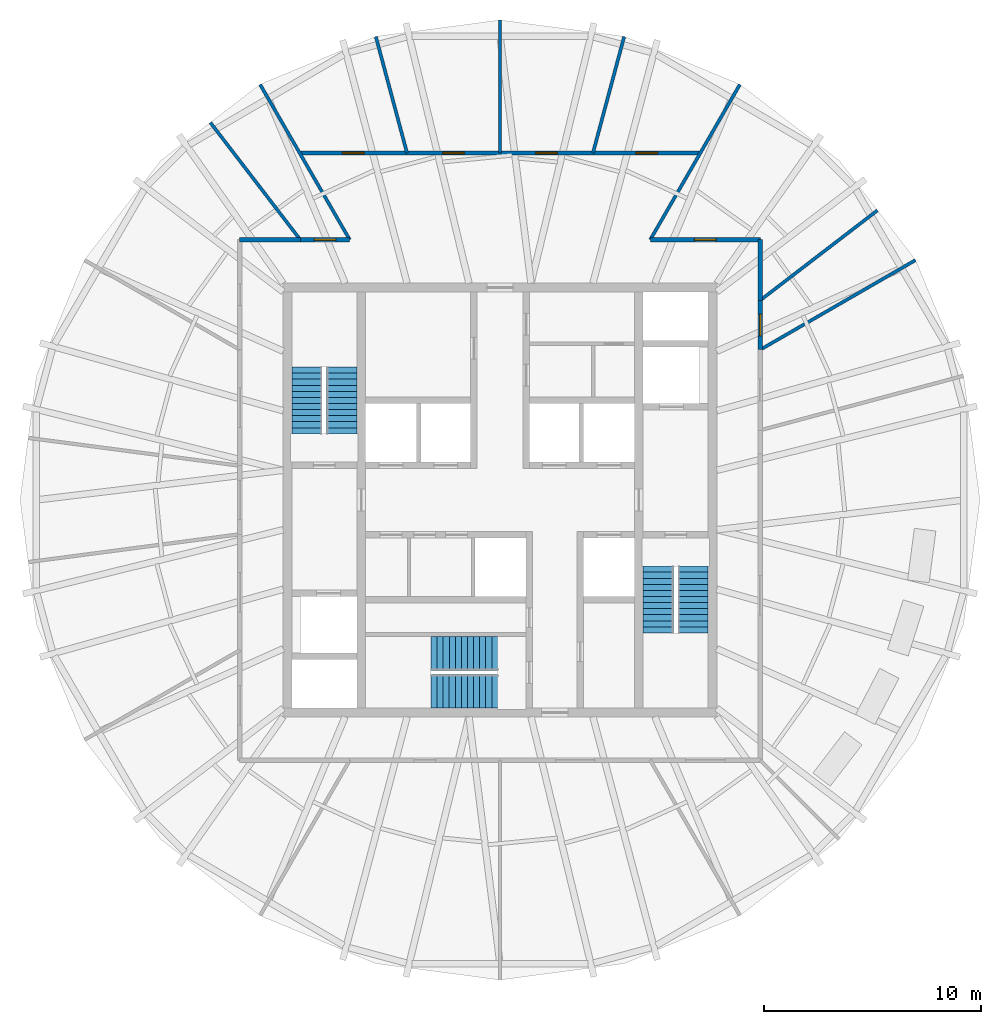
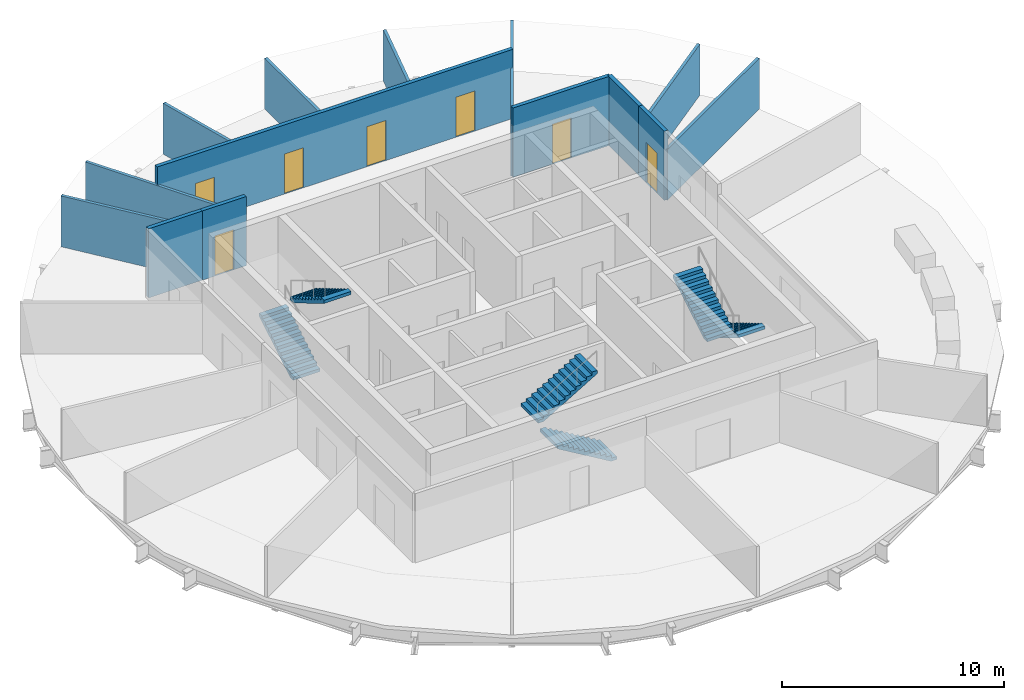
# One storey, part 5 of 7: 14 walls, 7 doors, 6 stair flights, 7 openings, 3 elements without a shape of their own.
"""IFC4 building model written with IfcOpenShell, lengths in metres."""

from ifc_helpers import new_model, si_unit, direction, frame, frame_2d, origin, place, context, subcontext, project, spatial, polyline, rectangle, outline, extrude, material, layer, layer_set, type_object, element, fill, aggregate, save


model = new_model("IFC4")

# Units and contexts
model_context = context("Model", 3, precision=1e-05, world=origin(), true_north=direction((0.0, 1.0)))
body_context = subcontext(model_context, "Body", "Model", "MODEL_VIEW")
ifc_project = project(units=[si_unit("LENGTHUNIT", "METRE"), si_unit("AREAUNIT", "SQUARE_METRE"), si_unit("VOLUMEUNIT", "CUBIC_METRE"), si_unit("PLANEANGLEUNIT", "RADIAN"), si_unit("MASSUNIT", "GRAM", prefix="KILO")], contexts=[model_context])

# Site, building, storey
site_placement = place(None, origin())
site = spatial("IfcSite", under=ifc_project, at=site_placement, CompositionType="ELEMENT")
building_placement = place(site_placement, origin())
building = spatial("IfcBuilding", under=site, at=building_placement, Name="Golbaran Civic Tower", CompositionType="ELEMENT")
storey_placement = place(building_placement, frame((0.0, 0.0, 260.0)))
storey = spatial("IfcBuildingStorey", under=building, at=storey_placement, Name="L63", CompositionType="ELEMENT", Elevation=260.0)

# Wall, opening, door
ifc_material_1 = material(Name="Gypsum board on steel studs, fire-rated", Category="steel")
ifc_layer_1 = layer(ifc_material_1, 0.199951171875, Name="Gypsum board on steel studs, fire-rated")
ifc_layer_set_1 = layer_set([ifc_layer_1], Name="Gypsum board on steel studs, fire-rated")
wall_type_1 = type_object("IfcWallType", Name="CORRIDOR WALL 200", PredefinedType="PARTITIONING", material=ifc_layer_set_1)
wall_1_placement = place(storey_placement, frame((12.0, 6.92822265625, 0.0), z_axis=(0.0, 0.0, 1.0), x_axis=(0.0, 1.0, 0.0)))
wall_1 = element("IfcWall", 1, at=wall_1_placement, inside=storey, type_object=wall_type_1, Name="Corridor wall L63", PredefinedType="PARTITIONING", context=body_context, shape_type="SweptSolid", body=[
    extrude(rectangle(XDim=2.27978515625, YDim=0.199951171875, at=frame_2d((1.139892578125, 0.0))), origin(), (0.0, 0.0, 1.0), 3.800048828125),
])
opening_1_placement = place(wall_1_placement, frame((0.639892578125, 0.0, 0.0)))
opening_1 = element("IfcOpeningElement", 2, at=opening_1_placement, cuts=wall_1, Name="Opening L63.07", PredefinedType="OPENING", context=body_context, shape_type="SweptSolid", body=[
    extrude(rectangle(XDim=1.0, YDim=2.199951171875, at=frame_2d((0.5, 1.10009765625))), frame((0.0, 0.10986328125, 0.0), z_axis=(0.0, -1.0, 0.0), x_axis=(1.0, 0.0, 0.0)), (0.0, 0.0, 1.0), 0.219970703125),
])
ifc_material_2 = material(Name="Timber door set in steel frame", Category="steel")
door_type = type_object("IfcDoorType", Name="OFFICE DOOR 1000x2200", OperationType="SINGLE_SWING_LEFT", PredefinedType="DOOR", material=ifc_material_2)
door_1_placement = place(opening_1_placement, origin())
door_1 = element("IfcDoor", 3, at=door_1_placement, inside=storey, type_object=door_type, Name="Prayer Room door L63", OperationType="SINGLE_SWING_LEFT", OverallHeight=2.199951171875, OverallWidth=1.0, PredefinedType="DOOR", context=body_context, shape_type="SweptSolid", body=[
    extrude(rectangle(XDim=1.0, YDim=2.199951171875, at=frame_2d((0.5, 1.10009765625))), frame((0.0, 0.02490234375, 0.0), z_axis=(0.0, -1.0, 0.0), x_axis=(1.0, 0.0, 0.0)), (0.0, 0.0, 1.0), 0.050048828125),
])
fill(opening_1, door_1)

# Wall
wall_2_placement = place(storey_placement, frame((12.0, 9.2080078125, 0.0), z_axis=(0.0, 0.0, 1.0), x_axis=(0.0, 1.0, 0.0)))
element("IfcWall", 4, at=wall_2_placement, inside=storey, type_object=wall_type_1, Name="Corridor wall L63", PredefinedType="PARTITIONING", context=body_context, shape_type="SweptSolid", body=[
    extrude(rectangle(XDim=2.7919921875, YDim=0.199951171875, at=frame_2d((1.39599609375, 0.0))), origin(), (0.0, 0.0, 1.0), 3.800048828125),
])

# Wall, opening, door
wall_3_placement = place(storey_placement, frame((12.0, 12.0, 0.0), z_axis=(0.0, 0.0, 1.0), x_axis=(-1.0, 0.0, 0.0)))
wall_3 = element("IfcWall", 5, at=wall_3_placement, inside=storey, type_object=wall_type_1, Name="Corridor wall L63", PredefinedType="PARTITIONING", context=body_context, shape_type="SweptSolid", body=[
    extrude(rectangle(XDim=5.07177734375, YDim=0.199951171875, at=frame_2d((2.535888671875, 0.0))), origin(), (0.0, 0.0, 1.0), 3.800048828125),
])
opening_2_placement = place(wall_3_placement, frame((2.035888671875, 0.0, 0.0)))
opening_2 = element("IfcOpeningElement", 6, at=opening_2_placement, cuts=wall_3, Name="Opening L63.08", PredefinedType="OPENING", context=body_context, shape_type="SweptSolid", body=[
    extrude(rectangle(XDim=1.0, YDim=2.199951171875, at=frame_2d((0.5, 1.10009765625))), frame((0.0, 0.10986328125, 0.0), z_axis=(0.0, -1.0, 0.0), x_axis=(1.0, 0.0, 0.0)), (0.0, 0.0, 1.0), 0.219970703125),
])
door_2_placement = place(opening_2_placement, origin())
door_2 = element("IfcDoor", 7, at=door_2_placement, inside=storey, type_object=door_type, Name="Pantry door L63", OperationType="SINGLE_SWING_RIGHT", OverallHeight=2.199951171875, OverallWidth=1.0, PredefinedType="DOOR", context=body_context, shape_type="SweptSolid", body=[
    extrude(rectangle(XDim=1.0, YDim=2.199951171875, at=frame_2d((0.5, 1.10009765625))), frame((0.0, 0.02490234375, 0.0), z_axis=(0.0, -1.0, 0.0), x_axis=(1.0, 0.0, 0.0)), (0.0, 0.0, 1.0), 0.050048828125),
])
fill(opening_2, door_2)

wall_4_placement = place(storey_placement, frame((-6.92822265625, 12.0, 0.0), z_axis=(0.0, 0.0, 1.0), x_axis=(-1.0, 0.0, 0.0)))
wall_4 = element("IfcWall", 8, at=wall_4_placement, inside=storey, type_object=wall_type_1, Name="Corridor wall L63", PredefinedType="PARTITIONING", context=body_context, shape_type="SweptSolid", body=[
    extrude(rectangle(XDim=2.27978515625, YDim=0.199951171875, at=frame_2d((1.139892578125, 0.0))), origin(), (0.0, 0.0, 1.0), 3.800048828125),
])
opening_3_placement = place(wall_4_placement, frame((0.639892578125, 0.0, 0.0)))
opening_3 = element("IfcOpeningElement", 9, at=opening_3_placement, cuts=wall_4, Name="Opening L63.09", PredefinedType="OPENING", context=body_context, shape_type="SweptSolid", body=[
    extrude(rectangle(XDim=1.0, YDim=2.199951171875, at=frame_2d((0.5, 1.10009765625))), frame((0.0, 0.10986328125, 0.0), z_axis=(0.0, -1.0, 0.0), x_axis=(1.0, 0.0, 0.0)), (0.0, 0.0, 1.0), 0.219970703125),
])
door_3_placement = place(opening_3_placement, origin())
door_3 = element("IfcDoor", 10, at=door_3_placement, inside=storey, type_object=door_type, Name="Store door L63", OperationType="SINGLE_SWING_RIGHT", OverallHeight=2.199951171875, OverallWidth=1.0, PredefinedType="DOOR", context=body_context, shape_type="SweptSolid", body=[
    extrude(rectangle(XDim=1.0, YDim=2.199951171875, at=frame_2d((0.5, 1.10009765625))), frame((0.0, 0.02490234375, 0.0), z_axis=(0.0, -1.0, 0.0), x_axis=(1.0, 0.0, 0.0)), (0.0, 0.0, 1.0), 0.050048828125),
])
fill(opening_3, door_3)

# Wall
wall_5_placement = place(storey_placement, frame((-9.2080078125, 12.0, 0.0), z_axis=(0.0, 0.0, 1.0), x_axis=(-1.0, 0.0, 0.0)))
element("IfcWall", 11, at=wall_5_placement, inside=storey, type_object=wall_type_1, Name="Corridor wall L63", PredefinedType="PARTITIONING", context=body_context, shape_type="SweptSolid", body=[
    extrude(rectangle(XDim=2.7919921875, YDim=0.199951171875, at=frame_2d((1.39599609375, 0.0))), origin(), (0.0, 0.0, 1.0), 3.800048828125),
])

# Wall, openings, doors
ifc_material_3 = material(Name="Gypsum board on steel studs, fire-rated, glazed panels", Category="steel")
ifc_layer_2 = layer(ifc_material_3, 0.199951171875, Name="Gypsum board on steel studs, fire-rated, glazed panels")
ifc_layer_set_2 = layer_set([ifc_layer_2], Name="Gypsum board on steel studs, fire-rated, glazed panels")
wall_type_2 = type_object("IfcWallType", Name="GALLERY WALL 200", PredefinedType="PARTITIONING", material=ifc_layer_set_2)
wall_6_placement = place(storey_placement, frame((9.237548828125, 16.0, 0.0), z_axis=(0.0, 0.0, 1.0), x_axis=(-1.0, 0.0, 0.0)))
wall_6 = element("IfcWall", 12, at=wall_6_placement, inside=storey, type_object=wall_type_2, Name="Gallery wall L63", PredefinedType="PARTITIONING", context=body_context, shape_type="SweptSolid", body=[
    extrude(rectangle(XDim=18.47509765625, YDim=0.199951171875, at=frame_2d((9.237548828125, 0.0))), origin(), (0.0, 0.0, 1.0), 3.800048828125),
])
opening_4_placement = place(wall_6_placement, frame((1.97509765625, 0.0, 0.0)))
opening_4 = element("IfcOpeningElement", 13, at=opening_4_placement, cuts=wall_6, Name="Opening L63.01", PredefinedType="OPENING", context=body_context, shape_type="SweptSolid", body=[
    extrude(rectangle(XDim=1.0, YDim=2.199951171875, at=frame_2d((0.5, 1.10009765625))), frame((0.0, 0.10986328125, 0.0), z_axis=(0.0, -1.0, 0.0), x_axis=(1.0, 0.0, 0.0)), (0.0, 0.0, 1.0), 0.219970703125),
])
opening_5_placement = place(wall_6_placement, frame((6.593994140625, 0.0, 0.0)))
opening_5 = element("IfcOpeningElement", 14, at=opening_5_placement, cuts=wall_6, Name="Opening L63.02", PredefinedType="OPENING", context=body_context, shape_type="SweptSolid", body=[
    extrude(rectangle(XDim=1.0, YDim=2.199951171875, at=frame_2d((0.5, 1.10009765625))), frame((0.0, 0.10986328125, 0.0), z_axis=(0.0, -1.0, 0.0), x_axis=(1.0, 0.0, 0.0)), (0.0, 0.0, 1.0), 0.219970703125),
])
opening_6_placement = place(wall_6_placement, frame((10.881103515625, 0.0, 0.0)))
opening_6 = element("IfcOpeningElement", 15, at=opening_6_placement, cuts=wall_6, Name="Opening L63.03", PredefinedType="OPENING", context=body_context, shape_type="SweptSolid", body=[
    extrude(rectangle(XDim=1.0, YDim=2.199951171875, at=frame_2d((0.5, 1.10009765625))), frame((0.0, 0.10986328125, 0.0), z_axis=(0.0, -1.0, 0.0), x_axis=(1.0, 0.0, 0.0)), (0.0, 0.0, 1.0), 0.219970703125),
])
opening_7_placement = place(wall_6_placement, frame((15.5, 0.0, 0.0)))
opening_7 = element("IfcOpeningElement", 16, at=opening_7_placement, cuts=wall_6, Name="Opening L63.04", PredefinedType="OPENING", context=body_context, shape_type="SweptSolid", body=[
    extrude(rectangle(XDim=1.0, YDim=2.199951171875, at=frame_2d((0.5, 1.10009765625))), frame((0.0, 0.10986328125, 0.0), z_axis=(0.0, -1.0, 0.0), x_axis=(1.0, 0.0, 0.0)), (0.0, 0.0, 1.0), 0.219970703125),
])
door_4_placement = place(opening_4_placement, origin())
door_4 = element("IfcDoor", 17, at=door_4_placement, inside=storey, type_object=door_type, Name="Minister's Office door L63", OperationType="SINGLE_SWING_LEFT", OverallHeight=2.199951171875, OverallWidth=1.0, PredefinedType="DOOR", context=body_context, shape_type="SweptSolid", body=[
    extrude(rectangle(XDim=1.0, YDim=2.199951171875, at=frame_2d((0.5, 1.10009765625))), frame((0.0, 0.02490234375, 0.0), z_axis=(0.0, -1.0, 0.0), x_axis=(1.0, 0.0, 0.0)), (0.0, 0.0, 1.0), 0.050048828125),
])
fill(opening_4, door_4)
door_5_placement = place(opening_5_placement, origin())
door_5 = element("IfcDoor", 18, at=door_5_placement, inside=storey, type_object=door_type, Name="Office door L63", OperationType="SINGLE_SWING_LEFT", OverallHeight=2.199951171875, OverallWidth=1.0, PredefinedType="DOOR", context=body_context, shape_type="SweptSolid", body=[
    extrude(rectangle(XDim=1.0, YDim=2.199951171875, at=frame_2d((0.5, 1.10009765625))), frame((0.0, 0.02490234375, 0.0), z_axis=(0.0, -1.0, 0.0), x_axis=(1.0, 0.0, 0.0)), (0.0, 0.0, 1.0), 0.050048828125),
])
fill(opening_5, door_5)
door_6_placement = place(opening_6_placement, origin())
door_6 = element("IfcDoor", 19, at=door_6_placement, inside=storey, type_object=door_type, Name="Private Meeting Room door L63", OperationType="SINGLE_SWING_RIGHT", OverallHeight=2.199951171875, OverallWidth=1.0, PredefinedType="DOOR", context=body_context, shape_type="SweptSolid", body=[
    extrude(rectangle(XDim=1.0, YDim=2.199951171875, at=frame_2d((0.5, 1.10009765625))), frame((0.0, 0.02490234375, 0.0), z_axis=(0.0, -1.0, 0.0), x_axis=(1.0, 0.0, 0.0)), (0.0, 0.0, 1.0), 0.050048828125),
])
fill(opening_6, door_6)
door_7_placement = place(opening_7_placement, origin())
door_7 = element("IfcDoor", 20, at=door_7_placement, inside=storey, type_object=door_type, Name="Private Meeting Room door L63", OperationType="SINGLE_SWING_RIGHT", OverallHeight=2.199951171875, OverallWidth=1.0, PredefinedType="DOOR", context=body_context, shape_type="SweptSolid", body=[
    extrude(rectangle(XDim=1.0, YDim=2.199951171875, at=frame_2d((0.5, 1.10009765625))), frame((0.0, 0.02490234375, 0.0), z_axis=(0.0, -1.0, 0.0), x_axis=(1.0, 0.0, 0.0)), (0.0, 0.0, 1.0), 0.050048828125),
])
fill(opening_7, door_7)

# Walls
ifc_material_4 = material(Name="Gypsum board on steel studs", Category="steel")
ifc_layer_3 = layer(ifc_material_4, 0.14990234375, Name="Gypsum board on steel studs")
ifc_layer_set_3 = layer_set([ifc_layer_3], Name="Gypsum board on steel studs")
wall_type_3 = type_object("IfcWallType", Name="OFFICE PARTITION 150", PredefinedType="PARTITIONING", material=ifc_layer_set_3)
wall_7_placement = place(storey_placement, frame((12.0, 6.92822265625, 0.0), z_axis=(0.0, 0.0, 1.0), x_axis=(0.86603163534, 0.499989206474, 0.0)))
element("IfcWall", 21, at=wall_7_placement, inside=storey, type_object=wall_type_3, Name="Partition 30 L63", PredefinedType="PARTITIONING", context=body_context, shape_type="SweptSolid", body=[
    extrude(rectangle(XDim=8.265869140625, YDim=0.14990234375, at=frame_2d((4.1328125, 0.0))), origin(), (0.0, 0.0, 1.0), 2.7900390625),
])
wall_8_placement = place(storey_placement, frame((12.0, 9.2080078125, 0.0), z_axis=(0.0, 0.0, 1.0), x_axis=(0.793354038351, 0.608760519279, 0.0)))
element("IfcWall", 22, at=wall_8_placement, inside=storey, type_object=wall_type_3, Name="Partition 37.5 L63", PredefinedType="PARTITIONING", context=body_context, shape_type="SweptSolid", body=[
    extrude(rectangle(XDim=6.807373046875, YDim=0.14990234375, at=frame_2d((3.40380859375, 0.0))), origin(), (0.0, 0.0, 1.0), 2.7900390625),
])
for number, where, z_axis, x_axis, name in (
    (23, (6.92822265625, 12.0, 0.0), (0.0, 0.0, 1.0), (0.499989206474, 0.86603163534, 0.0), "Partition 60 L63"),
    (24, (-6.92822265625, 12.0, 0.0), (0.0, 0.0, 1.0), (-0.499989206474, 0.86603163534, 0.0), "Partition 120 L63"),
):
    element("IfcWall", number, at=place(storey_placement, frame(where, z_axis=z_axis, x_axis=x_axis)), inside=storey, type_object=wall_type_3, Name=name, PredefinedType="PARTITIONING", context=body_context, shape_type="SweptSolid", body=[
        extrude(rectangle(XDim=8.265869140625, YDim=0.14990234375, at=frame_2d((4.1328125, 0.0))), origin(), (0.0, 0.0, 1.0), 2.7900390625),
    ])
wall_9_placement = place(storey_placement, frame((-9.2080078125, 12.0, 0.0), z_axis=(0.0, 0.0, 1.0), x_axis=(-0.608760519279, 0.793354038351, 0.0)))
element("IfcWall", 25, at=wall_9_placement, inside=storey, type_object=wall_type_3, Name="Partition 127.5 L63", PredefinedType="PARTITIONING", context=body_context, shape_type="SweptSolid", body=[
    extrude(rectangle(XDim=6.807373046875, YDim=0.14990234375, at=frame_2d((3.40380859375, 0.0))), origin(), (0.0, 0.0, 1.0), 2.7900390625),
])
wall_10_placement = place(storey_placement, frame((4.287109375, 16.0, 0.0), z_axis=(0.0, 0.0, 1.0), x_axis=(0.25882171764, 0.965925110181, 0.0)))
element("IfcWall", 26, at=wall_10_placement, inside=storey, type_object=wall_type_3, Name="Partition 75 L63", PredefinedType="PARTITIONING", context=body_context, shape_type="SweptSolid", body=[
    extrude(rectangle(XDim=5.557861328125, YDim=0.14990234375, at=frame_2d((2.77880859375, 0.0))), origin(), (0.0, 0.0, 1.0), 2.7900390625),
])
wall_11_placement = place(storey_placement, frame((0.0, 16.0, 0.0), z_axis=(0.0, 0.0, 1.0), x_axis=(0.0, 1.0, 0.0)))
element("IfcWall", 27, at=wall_11_placement, inside=storey, type_object=wall_type_3, Name="Partition 90 L63", PredefinedType="PARTITIONING", context=body_context, shape_type="SweptSolid", body=[
    extrude(rectangle(XDim=6.122314453125, YDim=0.14990234375, at=frame_2d((3.06103515625, 0.0))), origin(), (0.0, 0.0, 1.0), 2.7900390625),
])
wall_12_placement = place(storey_placement, frame((-4.287109375, 16.0, 0.0), z_axis=(0.0, 0.0, 1.0), x_axis=(-0.25882171764, 0.965925110181, 0.0)))
element("IfcWall", 28, at=wall_12_placement, inside=storey, type_object=wall_type_3, Name="Partition 105 L63", PredefinedType="PARTITIONING", context=body_context, shape_type="SweptSolid", body=[
    extrude(rectangle(XDim=5.557861328125, YDim=0.14990234375, at=frame_2d((2.77880859375, 0.0))), origin(), (0.0, 0.0, 1.0), 2.7900390625),
])

# Stair, stair flights
ifc_material_5 = material(Name="Concrete C35/45", Category="concrete")
stair_type_1 = type_object("IfcStairType", Name="EXIT STAIR 3000 x 7850, 4000 RISE", PredefinedType="HALF_TURN_STAIR", material=ifc_material_5)
stair_1_placement = place(storey_placement, origin())
stair_1 = element("IfcStair", 29, at=stair_1_placement, inside=storey, type_object=stair_type_1, Name="Stair S1 L63", PredefinedType="HALF_TURN_STAIR")
stair_flight_type_1 = type_object("IfcStairFlightType", Name="STAIR FLIGHT 1400 WIDE", PredefinedType="STRAIGHT", material=ifc_material_5)
stair_flight_1_placement = place(storey_placement, frame((-8.89990234375, 3.050048828125, 0.0), z_axis=(0.0, 0.0, 1.0), x_axis=(0.0, 1.0, 0.0)))
stair_flight_1 = element("IfcStairFlight", 30, at=stair_flight_1_placement, type_object=stair_flight_type_1, Name="ST30078-40 flight 1", NumberOfRisers=12, NumberOfTreads=11, PredefinedType="STRAIGHT", RiserHeight=0.166666667, TreadLength=0.28, context=body_context, shape_type="SweptSolid", body=[
    extrude(outline(polyline([(0.0, 0.0), (0.0, 0.166748046875), (0.280029296875, 0.166748046875), (0.280029296875, 0.333251953125), (0.56005859375, 0.333251953125), (0.56005859375, 0.5), (0.840087890625, 0.5), (0.840087890625, 0.666748046875), (1.1201171875, 0.666748046875), (1.1201171875, 0.833251953125), (1.39990234375, 0.833251953125), (1.39990234375, 1.0), (1.679931640625, 1.0), (1.679931640625, 1.166748046875), (1.9599609375, 1.166748046875), (1.9599609375, 1.333251953125), (2.239990234375, 1.333251953125), (2.239990234375, 1.5), (2.52001953125, 1.5), (2.52001953125, 1.666748046875), (2.800048828125, 1.666748046875), (2.800048828125, 1.833251953125), (3.080078125, 1.833251953125), (3.080078125, 2.0), (3.080078125, 1.658935546875), (0.29296875, 0.0), (0.0, 0.0)])), frame((0.0, 0.699951171875, 0.0), z_axis=(0.0, -1.0, 0.0), x_axis=(1.0, 0.0, 0.0)), (0.0, 0.0, 1.0), 1.39990234375),
])
stair_flight_2_placement = place(storey_placement, frame((-7.300048828125, 6.1298828125, 2.0), z_axis=(0.0, 0.0, 1.0), x_axis=(0.0, -1.0, 0.0)))
stair_flight_2 = element("IfcStairFlight", 31, at=stair_flight_2_placement, type_object=stair_flight_type_1, Name="ST30078-40 flight 2", NumberOfRisers=12, NumberOfTreads=11, PredefinedType="STRAIGHT", RiserHeight=0.166666667, TreadLength=0.28, context=body_context, shape_type="SweptSolid", body=[
    extrude(outline(polyline([(0.0, 0.0), (0.0, 0.166748046875), (0.280029296875, 0.166748046875), (0.280029296875, 0.333251953125), (0.56005859375, 0.333251953125), (0.56005859375, 0.5), (0.840087890625, 0.5), (0.840087890625, 0.666748046875), (1.1201171875, 0.666748046875), (1.1201171875, 0.833251953125), (1.39990234375, 0.833251953125), (1.39990234375, 1.0), (1.679931640625, 1.0), (1.679931640625, 1.166748046875), (1.9599609375, 1.166748046875), (1.9599609375, 1.333251953125), (2.239990234375, 1.333251953125), (2.239990234375, 1.5), (2.52001953125, 1.5), (2.52001953125, 1.666748046875), (2.800048828125, 1.666748046875), (2.800048828125, 1.833251953125), (3.080078125, 1.833251953125), (3.080078125, 2.0), (3.080078125, 1.658935546875), (0.29296875, 0.0), (0.0, 0.0)])), frame((0.0, 0.699951171875, 0.0), z_axis=(0.0, -1.0, 0.0), x_axis=(1.0, 0.0, 0.0)), (0.0, 0.0, 1.0), 1.39990234375),
])
aggregate(stair_1, [stair_flight_1, stair_flight_2])

stair_2_placement = place(storey_placement, origin())
stair_2 = element("IfcStair", 32, at=stair_2_placement, inside=storey, type_object=stair_type_1, Name="Stair S2 L63", PredefinedType="HALF_TURN_STAIR")
stair_flight_3_placement = place(storey_placement, frame((8.89990234375, -3.050048828125, 0.0), z_axis=(0.0, 0.0, 1.0), x_axis=(0.0, -1.0, 0.0)))
stair_flight_3 = element("IfcStairFlight", 33, at=stair_flight_3_placement, type_object=stair_flight_type_1, Name="ST30078-40 flight 1", NumberOfRisers=12, NumberOfTreads=11, PredefinedType="STRAIGHT", RiserHeight=0.166666667, TreadLength=0.28, context=body_context, shape_type="SweptSolid", body=[
    extrude(outline(polyline([(0.0, 0.0), (0.0, 0.166748046875), (0.280029296875, 0.166748046875), (0.280029296875, 0.333251953125), (0.56005859375, 0.333251953125), (0.56005859375, 0.5), (0.840087890625, 0.5), (0.840087890625, 0.666748046875), (1.1201171875, 0.666748046875), (1.1201171875, 0.833251953125), (1.39990234375, 0.833251953125), (1.39990234375, 1.0), (1.679931640625, 1.0), (1.679931640625, 1.166748046875), (1.9599609375, 1.166748046875), (1.9599609375, 1.333251953125), (2.239990234375, 1.333251953125), (2.239990234375, 1.5), (2.52001953125, 1.5), (2.52001953125, 1.666748046875), (2.800048828125, 1.666748046875), (2.800048828125, 1.833251953125), (3.080078125, 1.833251953125), (3.080078125, 2.0), (3.080078125, 1.658935546875), (0.29296875, 0.0), (0.0, 0.0)])), frame((0.0, 0.699951171875, 0.0), z_axis=(0.0, -1.0, 0.0), x_axis=(1.0, 0.0, 0.0)), (0.0, 0.0, 1.0), 1.39990234375),
])
stair_flight_4_placement = place(storey_placement, frame((7.300048828125, -6.1298828125, 2.0), z_axis=(0.0, 0.0, 1.0), x_axis=(0.0, 1.0, 0.0)))
stair_flight_4 = element("IfcStairFlight", 34, at=stair_flight_4_placement, type_object=stair_flight_type_1, Name="ST30078-40 flight 2", NumberOfRisers=12, NumberOfTreads=11, PredefinedType="STRAIGHT", RiserHeight=0.166666667, TreadLength=0.28, context=body_context, shape_type="SweptSolid", body=[
    extrude(outline(polyline([(0.0, 0.0), (0.0, 0.166748046875), (0.280029296875, 0.166748046875), (0.280029296875, 0.333251953125), (0.56005859375, 0.333251953125), (0.56005859375, 0.5), (0.840087890625, 0.5), (0.840087890625, 0.666748046875), (1.1201171875, 0.666748046875), (1.1201171875, 0.833251953125), (1.39990234375, 0.833251953125), (1.39990234375, 1.0), (1.679931640625, 1.0), (1.679931640625, 1.166748046875), (1.9599609375, 1.166748046875), (1.9599609375, 1.333251953125), (2.239990234375, 1.333251953125), (2.239990234375, 1.5), (2.52001953125, 1.5), (2.52001953125, 1.666748046875), (2.800048828125, 1.666748046875), (2.800048828125, 1.833251953125), (3.080078125, 1.833251953125), (3.080078125, 2.0), (3.080078125, 1.658935546875), (0.29296875, 0.0), (0.0, 0.0)])), frame((0.0, 0.699951171875, 0.0), z_axis=(0.0, -1.0, 0.0), x_axis=(1.0, 0.0, 0.0)), (0.0, 0.0, 1.0), 1.39990234375),
])
aggregate(stair_2, [stair_flight_3, stair_flight_4])

stair_type_2 = type_object("IfcStairType", Name="EXIT STAIR 3300 x 7400, 4000 RISE", PredefinedType="HALF_TURN_STAIR", material=ifc_material_5)
stair_3_placement = place(storey_placement, origin())
stair_3 = element("IfcStair", 35, at=stair_3_placement, inside=storey, type_object=stair_type_2, Name="Stair S3 L63", PredefinedType="HALF_TURN_STAIR")
stair_flight_type_2 = type_object("IfcStairFlightType", Name="STAIR FLIGHT 1550 WIDE", PredefinedType="STRAIGHT", material=ifc_material_5)
stair_flight_5_placement = place(storey_placement, frame((-0.10009765625, -8.824951171875, 0.0), z_axis=(0.0, 0.0, 1.0), x_axis=(-1.0, 0.0, 0.0)))
stair_flight_5 = element("IfcStairFlight", 36, at=stair_flight_5_placement, type_object=stair_flight_type_2, Name="ST33074-40 flight 1", NumberOfRisers=12, NumberOfTreads=11, PredefinedType="STRAIGHT", RiserHeight=0.166666667, TreadLength=0.28, context=body_context, shape_type="SweptSolid", body=[
    extrude(outline(polyline([(0.0, 0.0), (0.0, 0.166748046875), (0.280029296875, 0.166748046875), (0.280029296875, 0.333251953125), (0.56005859375, 0.333251953125), (0.56005859375, 0.5), (0.840087890625, 0.5), (0.840087890625, 0.666748046875), (1.1201171875, 0.666748046875), (1.1201171875, 0.833251953125), (1.39990234375, 0.833251953125), (1.39990234375, 1.0), (1.679931640625, 1.0), (1.679931640625, 1.166748046875), (1.9599609375, 1.166748046875), (1.9599609375, 1.333251953125), (2.239990234375, 1.333251953125), (2.239990234375, 1.5), (2.52001953125, 1.5), (2.52001953125, 1.666748046875), (2.800048828125, 1.666748046875), (2.800048828125, 1.833251953125), (3.080078125, 1.833251953125), (3.080078125, 2.0), (3.080078125, 1.658935546875), (0.29296875, 0.0), (0.0, 0.0)])), frame((0.0, 0.77490234375, 0.0), z_axis=(0.0, -1.0, 0.0), x_axis=(1.0, 0.0, 0.0)), (0.0, 0.0, 1.0), 1.550048828125),
])
stair_flight_6_placement = place(storey_placement, frame((-3.179931640625, -7.074951171875, 2.0), z_axis=(0.0, 0.0, 1.0), x_axis=(1.0, 0.0, 0.0)))
stair_flight_6 = element("IfcStairFlight", 37, at=stair_flight_6_placement, type_object=stair_flight_type_2, Name="ST33074-40 flight 2", NumberOfRisers=12, NumberOfTreads=11, PredefinedType="STRAIGHT", RiserHeight=0.166666667, TreadLength=0.28, context=body_context, shape_type="SweptSolid", body=[
    extrude(outline(polyline([(0.0, 0.0), (0.0, 0.166748046875), (0.280029296875, 0.166748046875), (0.280029296875, 0.333251953125), (0.56005859375, 0.333251953125), (0.56005859375, 0.5), (0.840087890625, 0.5), (0.840087890625, 0.666748046875), (1.1201171875, 0.666748046875), (1.1201171875, 0.833251953125), (1.39990234375, 0.833251953125), (1.39990234375, 1.0), (1.679931640625, 1.0), (1.679931640625, 1.166748046875), (1.9599609375, 1.166748046875), (1.9599609375, 1.333251953125), (2.239990234375, 1.333251953125), (2.239990234375, 1.5), (2.52001953125, 1.5), (2.52001953125, 1.666748046875), (2.800048828125, 1.666748046875), (2.800048828125, 1.833251953125), (3.080078125, 1.833251953125), (3.080078125, 2.0), (3.080078125, 1.658935546875), (0.29296875, 0.0), (0.0, 0.0)])), frame((0.0, 0.77490234375, 0.0), z_axis=(0.0, -1.0, 0.0), x_axis=(1.0, 0.0, 0.0)), (0.0, 0.0, 1.0), 1.550048828125),
])
aggregate(stair_3, [stair_flight_5, stair_flight_6])

save(model, "model.ifc")
